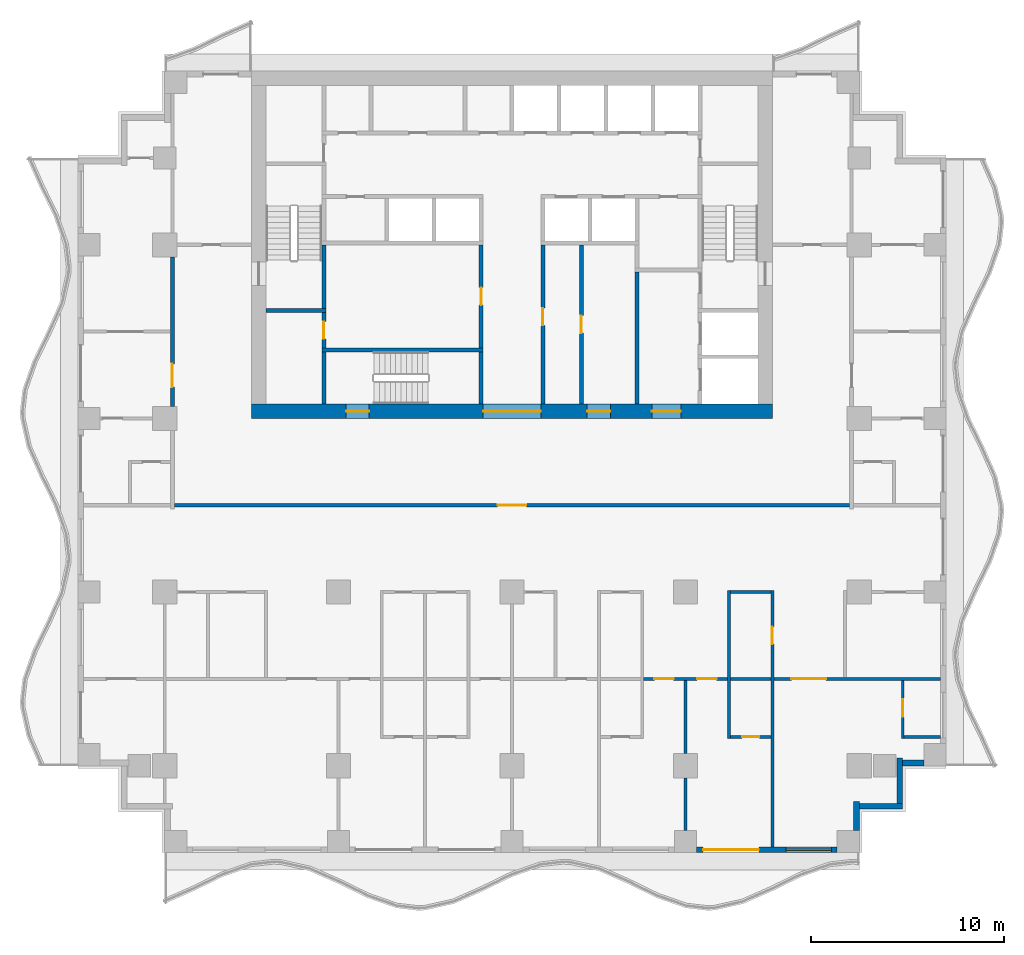
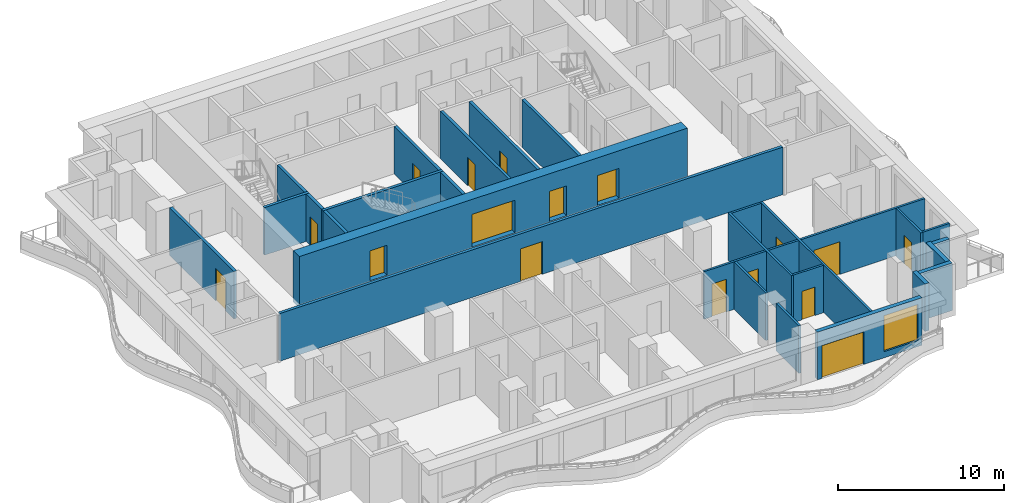
# One storey, part 3 of 10: 29 walls, 17 doors, 1 window, 18 openings.
"""IFC4 building model written with IfcOpenShell, lengths in metres."""

from ifc_helpers import new_model, si_unit, direction, frame, frame_2d, origin, place, context, subcontext, project, spatial, rectangle, extrude, material, layer, layer_set, type_object, element, fill, save


model = new_model("IFC4")

# Units and contexts
model_context = context("Model", 3, precision=1e-05, world=origin(), true_north=direction((0.0, 1.0)))
body_context = subcontext(model_context, "Body", "Model", "MODEL_VIEW")
ifc_project = project(units=[si_unit("LENGTHUNIT", "METRE"), si_unit("AREAUNIT", "SQUARE_METRE"), si_unit("VOLUMEUNIT", "CUBIC_METRE"), si_unit("PLANEANGLEUNIT", "RADIAN"), si_unit("MASSUNIT", "GRAM", prefix="KILO")], contexts=[model_context])

# Site, building, storey
site_placement = place(None, origin())
site = spatial("IfcSite", under=ifc_project, at=site_placement, CompositionType="ELEMENT")
building_placement = place(site_placement, origin())
building = spatial("IfcBuilding", under=site, at=building_placement, Name="Orbiselva Terraces", CompositionType="ELEMENT")
storey_placement = place(building_placement, frame((0.0, 0.0, 155.4)))
storey = spatial("IfcBuildingStorey", under=building, at=storey_placement, Name="L39", CompositionType="ELEMENT", Elevation=155.4)

# Wall, openings, doors
ifc_material_1 = material(Name="Concrete C80/95", Category="concrete")
ifc_layer_1 = layer(ifc_material_1, 0.75)
ifc_layer_set_1 = layer_set([ifc_layer_1], Name="Concrete C80/95")
wall_type_1 = type_object("IfcWallType", Name="CORE WALL 750", PredefinedType="SHEAR", material=ifc_layer_set_1)
wall_1_placement = place(storey_placement, frame((-13.5, 4.875, -0.3), z_axis=(0.0, 0.0, 1.0), x_axis=(1.0, 0.0, 0.0)))
wall_1 = element("IfcWall", 1, at=wall_1_placement, inside=storey, type_object=wall_type_1, Name="Core wall L39 south", PredefinedType="SHEAR", context=body_context, shape_type="SweptSolid", body=[
    extrude(rectangle(XDim=27.0, YDim=0.75, at=frame_2d((13.5, 0.0))), origin(), (0.0, 0.0, 1.0), 3.8),
])
opening_1_placement = place(wall_1_placement, frame((12.0, 0.0, 0.3)))
opening_1 = element("IfcOpeningElement", 2, at=opening_1_placement, cuts=wall_1, Name="Opening DL3000", PredefinedType="OPENING", context=body_context, shape_type="SweptSolid", body=[
    extrude(rectangle(XDim=3.0, YDim=2.4, at=frame_2d((1.5, 1.2))), frame((0.0, 0.385, 0.0), z_axis=(0.0, -1.0, 0.0), x_axis=(1.0, 0.0, 0.0)), (0.0, 0.0, 1.0), 0.77),
])
opening_2_placement = place(wall_1_placement, frame((4.9, 0.0, 0.3)))
opening_2 = element("IfcOpeningElement", 3, at=opening_2_placement, cuts=wall_1, Name="Opening DS1200", PredefinedType="OPENING", context=body_context, shape_type="SweptSolid", body=[
    extrude(rectangle(XDim=1.2, YDim=2.2, at=frame_2d((0.6, 1.1))), frame((0.0, 0.385, 0.0), z_axis=(0.0, -1.0, 0.0), x_axis=(1.0, 0.0, 0.0)), (0.0, 0.0, 1.0), 0.77),
])
opening_3_placement = place(wall_1_placement, frame((20.75, 0.0, 0.3)))
opening_3 = element("IfcOpeningElement", 4, at=opening_3_placement, cuts=wall_1, Name="Opening DF1500", PredefinedType="OPENING", context=body_context, shape_type="SweptSolid", body=[
    extrude(rectangle(XDim=1.5, YDim=2.2, at=frame_2d((0.75, 1.1))), frame((0.0, 0.385, 0.0), z_axis=(0.0, -1.0, 0.0), x_axis=(1.0, 0.0, 0.0)), (0.0, 0.0, 1.0), 0.77),
])
opening_4_placement = place(wall_1_placement, frame((17.4, 0.0, 0.3)))
opening_4 = element("IfcOpeningElement", 5, at=opening_4_placement, cuts=wall_1, Name="Opening DV1200", PredefinedType="OPENING", context=body_context, shape_type="SweptSolid", body=[
    extrude(rectangle(XDim=1.2, YDim=2.2, at=frame_2d((0.6, 1.1))), frame((0.0, 0.385, 0.0), z_axis=(0.0, -1.0, 0.0), x_axis=(1.0, 0.0, 0.0)), (0.0, 0.0, 1.0), 0.77),
])
ifc_material_2 = material(Name="Steel fire door", Category="steel")
door_type_1 = type_object("IfcDoorType", Name="FFL DOOR 1500", OperationType="DOUBLE_DOOR_SINGLE_SWING", PredefinedType="DOOR", material=ifc_material_2)
door_1_placement = place(opening_3_placement, frame((1.5, 0.0, 0.0), z_axis=(0.0, 0.0, 1.0), x_axis=(-1.0, 0.0, 0.0)))
door_1 = element("IfcDoor", 6, at=door_1_placement, inside=storey, type_object=door_type_1, Name="L39 FIRE-FIGHTING LOBBY door", OperationType="DOUBLE_DOOR_SINGLE_SWING", OverallHeight=2.2, OverallWidth=1.5, PredefinedType="DOOR", context=body_context, shape_type="SweptSolid", body=[
    extrude(rectangle(XDim=1.5, YDim=2.2, at=frame_2d((0.75, 1.1))), frame((0.0, 0.025, 0.0), z_axis=(0.0, -1.0, 0.0), x_axis=(1.0, 0.0, 0.0)), (0.0, 0.0, 1.0), 0.05),
])
fill(opening_3, door_1)
door_type_2 = type_object("IfcDoorType", Name="LOBBY DOOR 3000", OperationType="DOUBLE_DOOR_SINGLE_SWING", PredefinedType="DOOR", material=ifc_material_2)
door_2_placement = place(opening_1_placement, frame((3.0, 0.0, 0.0), z_axis=(0.0, 0.0, 1.0), x_axis=(-1.0, 0.0, 0.0)))
door_2 = element("IfcDoor", 7, at=door_2_placement, inside=storey, type_object=door_type_2, Name="L39 LIFT LOBBY door", OperationType="DOUBLE_DOOR_SINGLE_SWING", OverallHeight=2.4, OverallWidth=3.0, PredefinedType="DOOR", context=body_context, shape_type="SweptSolid", body=[
    extrude(rectangle(XDim=3.0, YDim=2.4, at=frame_2d((1.5, 1.2))), frame((0.0, 0.025, 0.0), z_axis=(0.0, -1.0, 0.0), x_axis=(1.0, 0.0, 0.0)), (0.0, 0.0, 1.0), 0.05),
])
fill(opening_1, door_2)
door_type_3 = type_object("IfcDoorType", Name="SERVICE DOOR 1200", OperationType="NOTDEFINED", PredefinedType="DOOR", material=ifc_material_2)
door_3_placement = place(opening_4_placement, frame((1.2, 0.0, 0.0), z_axis=(0.0, 0.0, 1.0), x_axis=(-1.0, 0.0, 0.0)))
door_3 = element("IfcDoor", 8, at=door_3_placement, inside=storey, type_object=door_type_3, Name="L39 SERVICE ROOM door", OperationType="SINGLE_SWING_RIGHT", OverallHeight=2.2, OverallWidth=1.2, PredefinedType="DOOR", context=body_context, shape_type="SweptSolid", body=[
    extrude(rectangle(XDim=1.2, YDim=2.2, at=frame_2d((0.6, 1.1))), frame((0.0, 0.025, 0.0), z_axis=(0.0, -1.0, 0.0), x_axis=(1.0, 0.0, 0.0)), (0.0, 0.0, 1.0), 0.05),
])
fill(opening_4, door_3)
door_type_4 = type_object("IfcDoorType", Name="STAIR DOOR 1200", OperationType="NOTDEFINED", PredefinedType="DOOR", material=ifc_material_2)
door_4_placement = place(opening_2_placement, frame((1.2, 0.0, 0.0), z_axis=(0.0, 0.0, 1.0), x_axis=(-1.0, 0.0, 0.0)))
door_4 = element("IfcDoor", 9, at=door_4_placement, inside=storey, type_object=door_type_4, Name="L39 EXIT STAIR S3 door", OperationType="SINGLE_SWING_LEFT", OverallHeight=2.2, OverallWidth=1.2, PredefinedType="DOOR", context=body_context, shape_type="SweptSolid", body=[
    extrude(rectangle(XDim=1.2, YDim=2.2, at=frame_2d((0.6, 1.1))), frame((0.0, 0.025, 0.0), z_axis=(0.0, -1.0, 0.0), x_axis=(1.0, 0.0, 0.0)), (0.0, 0.0, 1.0), 0.05),
])
fill(opening_2, door_4)

# Wall, opening, door
ifc_material_3 = material(Name="Masonry blockwork", Category="masonry")
ifc_layer_2 = layer(ifc_material_3, 0.2)
ifc_layer_set_2 = layer_set([ifc_layer_2], Name="Masonry blockwork")
wall_type_2 = type_object("IfcWallType", Name="CORE-WALL-PARTITION-200", PredefinedType="PARTITIONING", material=ifc_layer_set_2)
wall_2_placement = place(storey_placement, frame((-9.75, 8.15, 0.0), z_axis=(0.0, 0.0, 1.0), x_axis=(0.0, 1.0, 0.0)))
wall_2 = element("IfcWall", 10, at=wall_2_placement, inside=storey, type_object=wall_type_2, Name="L39 core wall 05", PredefinedType="PARTITIONING", context=body_context, shape_type="SweptSolid", body=[
    extrude(rectangle(XDim=1.85, YDim=0.2, at=frame_2d((0.925, 0.0))), origin(), (0.0, 0.0, 1.0), 3.5),
])
opening_5_placement = place(wall_2_placement, frame((0.475, 0.0, 0.0)))
opening_5 = element("IfcOpeningElement", 11, at=opening_5_placement, cuts=wall_2, Name="Opening DR900", PredefinedType="OPENING", context=body_context, shape_type="SweptSolid", body=[
    extrude(rectangle(XDim=0.9, YDim=2.1, at=frame_2d((0.45, 1.05))), frame((0.0, 0.11, 0.0), z_axis=(0.0, -1.0, 0.0), x_axis=(1.0, 0.0, 0.0)), (0.0, 0.0, 1.0), 0.22),
])
door_type_5 = type_object("IfcDoorType", Name="ROOM DOOR 900", OperationType="NOTDEFINED", PredefinedType="DOOR", material=ifc_material_2)
door_5_placement = place(opening_5_placement, origin())
door_5 = element("IfcDoor", 12, at=door_5_placement, inside=storey, type_object=door_type_5, Name="L39 ACCESSIBLE WC door", OperationType="SINGLE_SWING_RIGHT", OverallHeight=2.1, OverallWidth=0.9, PredefinedType="DOOR", context=body_context, shape_type="SweptSolid", body=[
    extrude(rectangle(XDim=0.9, YDim=2.1, at=frame_2d((0.45, 1.05))), frame((0.0, 0.025, 0.0), z_axis=(0.0, -1.0, 0.0), x_axis=(1.0, 0.0, 0.0)), (0.0, 0.0, 1.0), 0.05),
])
fill(opening_5, door_5)

wall_3_placement = place(storey_placement, frame((3.6, 13.5, 0.0), z_axis=(0.0, 0.0, 1.0), x_axis=(0.0, -1.0, 0.0)))
wall_3 = element("IfcWall", 13, at=wall_3_placement, inside=storey, type_object=wall_type_2, Name="L39 core wall 27", PredefinedType="PARTITIONING", context=body_context, shape_type="SweptSolid", body=[
    extrude(rectangle(XDim=8.25, YDim=0.2, at=frame_2d((4.125, 0.0))), origin(), (0.0, 0.0, 1.0), 3.5),
])
opening_6_placement = place(wall_3_placement, frame((3.675, 0.0, 0.0)))
opening_6 = element("IfcOpeningElement", 14, at=opening_6_placement, cuts=wall_3, Name="Opening DR900", PredefinedType="OPENING", context=body_context, shape_type="SweptSolid", body=[
    extrude(rectangle(XDim=0.9, YDim=2.1, at=frame_2d((0.45, 1.05))), frame((0.0, 0.11, 0.0), z_axis=(0.0, -1.0, 0.0), x_axis=(1.0, 0.0, 0.0)), (0.0, 0.0, 1.0), 0.22),
])
door_6_placement = place(opening_6_placement, origin())
door_6 = element("IfcDoor", 15, at=door_6_placement, inside=storey, type_object=door_type_5, Name="L39 SERVICE ROOM door", OperationType="SINGLE_SWING_RIGHT", OverallHeight=2.1, OverallWidth=0.9, PredefinedType="DOOR", context=body_context, shape_type="SweptSolid", body=[
    extrude(rectangle(XDim=0.9, YDim=2.1, at=frame_2d((0.45, 1.05))), frame((0.0, 0.025, 0.0), z_axis=(0.0, -1.0, 0.0), x_axis=(1.0, 0.0, 0.0)), (0.0, 0.0, 1.0), 0.05),
])
fill(opening_6, door_6)

# Walls
ifc_material_4 = material(Name="Concrete C60/75", Category="concrete")
ifc_layer_3 = layer(ifc_material_4, 0.2)
ifc_layer_set_3 = layer_set([ifc_layer_3], Name="Concrete C60/75")
wall_type_3 = type_object("IfcWallType", Name="CORE-WALL-SHEAR-200", PredefinedType="SHEAR", material=ifc_layer_set_3)
wall_4_placement = place(storey_placement, frame((-12.75, 10.1, 0.0), z_axis=(0.0, 0.0, 1.0), x_axis=(1.0, 0.0, 0.0)))
element("IfcWall", 16, at=wall_4_placement, inside=storey, type_object=wall_type_3, Name="L39 core wall 01", PredefinedType="SHEAR", context=body_context, shape_type="SweptSolid", body=[
    extrude(rectangle(XDim=3.1, YDim=0.2, at=frame_2d((1.55, 0.0))), origin(), (0.0, 0.0, 1.0), 3.5),
])
wall_5_placement = place(storey_placement, frame((-9.75, 5.25, 0.0), z_axis=(0.0, 0.0, 1.0), x_axis=(0.0, 1.0, 0.0)))
element("IfcWall", 17, at=wall_5_placement, inside=storey, type_object=wall_type_3, Name="L39 core wall 03", PredefinedType="SHEAR", context=body_context, shape_type="SweptSolid", body=[
    extrude(rectangle(XDim=2.7, YDim=0.2, at=frame_2d((1.35, 0.0))), origin(), (0.0, 0.0, 1.0), 3.5),
])
wall_6_placement = place(storey_placement, frame((-9.85, 8.05, 0.0), z_axis=(0.0, 0.0, 1.0), x_axis=(1.0, 0.0, 0.0)))
element("IfcWall", 18, at=wall_6_placement, inside=storey, type_object=wall_type_3, Name="L39 core wall 04", PredefinedType="SHEAR", context=body_context, shape_type="SweptSolid", body=[
    extrude(rectangle(XDim=8.35, YDim=0.2, at=frame_2d((4.175, 0.0))), origin(), (0.0, 0.0, 1.0), 3.5),
])
wall_7_placement = place(storey_placement, frame((-9.75, 10.2, 0.0), z_axis=(0.0, 0.0, 1.0), x_axis=(0.0, 1.0, 0.0)))
element("IfcWall", 19, at=wall_7_placement, inside=storey, type_object=wall_type_3, Name="L39 core wall 06", PredefinedType="SHEAR", context=body_context, shape_type="SweptSolid", body=[
    extrude(rectangle(XDim=3.3, YDim=0.2, at=frame_2d((1.65, 0.0))), origin(), (0.0, 0.0, 1.0), 3.5),
])
wall_8_placement = place(storey_placement, frame((-1.6, 5.25, 0.0), z_axis=(0.0, 0.0, 1.0), x_axis=(0.0, 1.0, 0.0)))
element("IfcWall", 20, at=wall_8_placement, inside=storey, type_object=wall_type_3, Name="L39 core wall 18", PredefinedType="SHEAR", context=body_context, shape_type="SweptSolid", body=[
    extrude(rectangle(XDim=2.7, YDim=0.2, at=frame_2d((1.35, 0.0))), origin(), (0.0, 0.0, 1.0), 3.5),
])

# Wall, opening, door
wall_9_placement = place(storey_placement, frame((-1.6, 8.15, 0.0), z_axis=(0.0, 0.0, 1.0), x_axis=(0.0, 1.0, 0.0)))
wall_9 = element("IfcWall", 21, at=wall_9_placement, inside=storey, type_object=wall_type_3, Name="L39 core wall 19", PredefinedType="SHEAR", context=body_context, shape_type="SweptSolid", body=[
    extrude(rectangle(XDim=5.35, YDim=0.2, at=frame_2d((2.675, 0.0))), origin(), (0.0, 0.0, 1.0), 3.5),
])
opening_7_placement = place(wall_9_placement, frame((2.225, 0.0, 0.0)))
opening_7 = element("IfcOpeningElement", 22, at=opening_7_placement, cuts=wall_9, Name="Opening DR900", PredefinedType="OPENING", context=body_context, shape_type="SweptSolid", body=[
    extrude(rectangle(XDim=0.9, YDim=2.1, at=frame_2d((0.45, 1.05))), frame((0.0, 0.11, 0.0), z_axis=(0.0, -1.0, 0.0), x_axis=(1.0, 0.0, 0.0)), (0.0, 0.0, 1.0), 0.22),
])
door_7_placement = place(opening_7_placement, origin())
door_7 = element("IfcDoor", 23, at=door_7_placement, inside=storey, type_object=door_type_5, Name="L39 LINEN STORE door", OperationType="SINGLE_SWING_RIGHT", OverallHeight=2.1, OverallWidth=0.9, PredefinedType="DOOR", context=body_context, shape_type="SweptSolid", body=[
    extrude(rectangle(XDim=0.9, YDim=2.1, at=frame_2d((0.45, 1.05))), frame((0.0, 0.025, 0.0), z_axis=(0.0, -1.0, 0.0), x_axis=(1.0, 0.0, 0.0)), (0.0, 0.0, 1.0), 0.05),
])
fill(opening_7, door_7)

wall_10_placement = place(storey_placement, frame((1.6, 13.5, 0.0), z_axis=(0.0, 0.0, 1.0), x_axis=(0.0, -1.0, 0.0)))
wall_10 = element("IfcWall", 24, at=wall_10_placement, inside=storey, type_object=wall_type_3, Name="L39 core wall 22", PredefinedType="SHEAR", context=body_context, shape_type="SweptSolid", body=[
    extrude(rectangle(XDim=8.25, YDim=0.2, at=frame_2d((4.125, 0.0))), origin(), (0.0, 0.0, 1.0), 3.5),
])
opening_8_placement = place(wall_10_placement, frame((3.275, 0.0, 0.0)))
opening_8 = element("IfcOpeningElement", 25, at=opening_8_placement, cuts=wall_10, Name="Opening DR900", PredefinedType="OPENING", context=body_context, shape_type="SweptSolid", body=[
    extrude(rectangle(XDim=0.9, YDim=2.1, at=frame_2d((0.45, 1.05))), frame((0.0, 0.11, 0.0), z_axis=(0.0, -1.0, 0.0), x_axis=(1.0, 0.0, 0.0)), (0.0, 0.0, 1.0), 0.22),
])
door_8_placement = place(opening_8_placement, origin())
door_8 = element("IfcDoor", 26, at=door_8_placement, inside=storey, type_object=door_type_5, Name="L39 COMMS ROOM door", OperationType="SINGLE_SWING_LEFT", OverallHeight=2.1, OverallWidth=0.9, PredefinedType="DOOR", context=body_context, shape_type="SweptSolid", body=[
    extrude(rectangle(XDim=0.9, YDim=2.1, at=frame_2d((0.45, 1.05))), frame((0.0, 0.025, 0.0), z_axis=(0.0, -1.0, 0.0), x_axis=(1.0, 0.0, 0.0)), (0.0, 0.0, 1.0), 0.05),
])
fill(opening_8, door_8)

# Wall
wall_11_placement = place(storey_placement, frame((6.475, 5.25, 0.0), z_axis=(0.0, 0.0, 1.0), x_axis=(0.0, 1.0, 0.0)))
element("IfcWall", 27, at=wall_11_placement, inside=storey, type_object=wall_type_3, Name="L39 core wall 30", PredefinedType="SHEAR", context=body_context, shape_type="SweptSolid", body=[
    extrude(rectangle(XDim=6.85, YDim=0.2, at=frame_2d((3.425, 0.0))), origin(), (0.0, 0.0, 1.0), 3.5),
])

# Wall, openings, door, window
ifc_material_5 = material(Name="Terracotta cladding on masonry backing", Category="masonry")
ifc_layer_4 = layer(ifc_material_5, 0.3)
ifc_layer_set_4 = layer_set([ifc_layer_4], Name="Terracotta cladding on masonry backing")
wall_type_4 = type_object("IfcWallType", Name="ENV-WALL-TERRACOTTA-300", PredefinedType="SOLIDWALL", material=ifc_layer_set_4)
wall_12_placement = place(storey_placement, frame((16.85, -17.85, 0.0), z_axis=(0.0, 0.0, 1.0), x_axis=(-1.0, 0.0, 0.0)))
wall_12 = element("IfcWall", 28, at=wall_12_placement, inside=storey, type_object=wall_type_4, Name="Facade wall L39 S", PredefinedType="SOLIDWALL", context=body_context, shape_type="SweptSolid", body=[
    extrude(rectangle(XDim=7.275, YDim=0.3, at=frame_2d((3.6375, 0.0))), origin(), (0.0, 0.0, 1.0), 3.5),
])
opening_9_placement = place(wall_12_placement, frame((4.05, 0.0, 0.0)))
opening_9 = element("IfcOpeningElement", 29, at=opening_9_placement, cuts=wall_12, Name="Opening Z3-C-E03", PredefinedType="OPENING", context=body_context, shape_type="SweptSolid", body=[
    extrude(rectangle(XDim=2.9, YDim=2.4, at=frame_2d((1.45, 1.2))), frame((0.0, 0.16, 0.0), z_axis=(0.0, -1.0, 0.0), x_axis=(1.0, 0.0, 0.0)), (0.0, 0.0, 1.0), 0.32),
])
opening_10_placement = place(wall_12_placement, frame((0.3, 0.0, 0.45)))
opening_10 = element("IfcOpeningElement", 30, at=opening_10_placement, cuts=wall_12, Name="Opening WN10", PredefinedType="OPENING", context=body_context, shape_type="SweptSolid", body=[
    extrude(rectangle(XDim=2.35, YDim=2.65, at=frame_2d((1.175, 1.325))), frame((0.0, 0.16, 0.0), z_axis=(0.0, -1.0, 0.0), x_axis=(1.0, 0.0, 0.0)), (0.0, 0.0, 1.0), 0.32),
])
ifc_material_6 = material(Name="Clear low-e glazing in aluminium frame", Category="aluminium")
door_type_6 = type_object("IfcDoorType", Name="BALCONY DOOR 2900 X 2400", OperationType="DOUBLE_DOOR_SLIDING", PredefinedType="DOOR", material=ifc_material_6)
door_9_placement = place(opening_9_placement, origin())
door_9 = element("IfcDoor", 31, at=door_9_placement, inside=storey, type_object=door_type_6, Name="Z3-C-E03", OperationType="SINGLE_SWING_LEFT", OverallHeight=2.4, OverallWidth=2.9, PredefinedType="DOOR", context=body_context, shape_type="SweptSolid", body=[
    extrude(rectangle(XDim=2.9, YDim=2.4, at=frame_2d((1.45, 1.2))), frame((0.0, 0.025, 0.0), z_axis=(0.0, -1.0, 0.0), x_axis=(1.0, 0.0, 0.0)), (0.0, 0.0, 1.0), 0.05),
])
fill(opening_9, door_9)
window_type = type_object("IfcWindowType", Name="WINDOW 2350 X 2650 S450", PartitioningType="TRIPLE_PANEL_VERTICAL", PredefinedType="WINDOW", material=ifc_material_6)
window_placement = place(opening_10_placement, origin())
window = element("IfcWindow", 32, at=window_placement, inside=storey, type_object=window_type, Name="Window L39 S", OverallHeight=2.65, OverallWidth=2.35, PartitioningType="SINGLE_PANEL", PredefinedType="WINDOW", context=body_context, shape_type="SweptSolid", body=[
    extrude(rectangle(XDim=2.35, YDim=2.65, at=frame_2d((1.175, 1.325))), frame((0.0, 0.03, 0.0), z_axis=(0.0, -1.0, 0.0), x_axis=(1.0, 0.0, 0.0)), (0.0, 0.0, 1.0), 0.06),
])
fill(opening_10, window)

# Walls
wall_13_placement = place(storey_placement, frame((17.85, -15.35, 0.0), z_axis=(0.0, 0.0, 1.0), x_axis=(0.0, -1.0, 0.0)))
element("IfcWall", 33, at=wall_13_placement, inside=storey, type_object=wall_type_4, Name="Facade wall L39 STEP", PredefinedType="SOLIDWALL", context=body_context, shape_type="SweptSolid", body=[
    extrude(rectangle(XDim=1.5, YDim=0.3, at=frame_2d((0.75, 0.0))), origin(), (0.0, 0.0, 1.0), 3.5),
])
wall_14_placement = place(storey_placement, frame((20.25, -15.6, 0.0), z_axis=(0.0, 0.0, 1.0), x_axis=(-1.0, 0.0, 0.0)))
element("IfcWall", 34, at=wall_14_placement, inside=storey, type_object=wall_type_4, Name="Facade wall L39 STEP", PredefinedType="SOLIDWALL", context=body_context, shape_type="SweptSolid", body=[
    extrude(rectangle(XDim=2.25, YDim=0.3, at=frame_2d((1.125, 0.0))), origin(), (0.0, 0.0, 1.0), 3.5),
])
wall_15_placement = place(storey_placement, frame((20.1, -13.1, 0.0), z_axis=(0.0, 0.0, 1.0), x_axis=(0.0, -1.0, 0.0)))
element("IfcWall", 35, at=wall_15_placement, inside=storey, type_object=wall_type_4, Name="Facade wall L39 STEP", PredefinedType="SOLIDWALL", context=body_context, shape_type="SweptSolid", body=[
    extrude(rectangle(XDim=2.35, YDim=0.3, at=frame_2d((1.175, 0.0))), origin(), (0.0, 0.0, 1.0), 3.5),
])
wall_16_placement = place(storey_placement, frame((21.35, -13.35, 0.0), z_axis=(0.0, 0.0, 1.0), x_axis=(-1.0, 0.0, 0.0)))
element("IfcWall", 36, at=wall_16_placement, inside=storey, type_object=wall_type_4, Name="Facade wall L39 STEP", PredefinedType="SOLIDWALL", context=body_context, shape_type="SweptSolid", body=[
    extrude(rectangle(XDim=1.1, YDim=0.3, at=frame_2d((0.55, 0.0))), origin(), (0.0, 0.0, 1.0), 3.5),
])

# Wall, opening, door
ifc_material_7 = material(Name="Plasterboard on steel stud partition", Category="steel")
ifc_layer_5 = layer(ifc_material_7, 0.2)
ifc_layer_set_5 = layer_set([ifc_layer_5], Name="Plasterboard on steel stud partition")
wall_type_5 = type_object("IfcWallType", Name="UNIT-ENTRANCE-WALL-200", PredefinedType="PARTITIONING", material=ifc_layer_set_5)
wall_17_placement = place(storey_placement, frame((17.5, 0.0, 0.0), z_axis=(0.0, 0.0, 1.0), x_axis=(-1.0, 0.0, 0.0)))
wall_17 = element("IfcWall", 37, at=wall_17_placement, inside=storey, type_object=wall_type_5, Name="PARTITION L39-022", PredefinedType="PARTITIONING", context=body_context, shape_type="SweptSolid", body=[
    extrude(rectangle(XDim=35.0, YDim=0.2, at=frame_2d((17.5, 0.0))), origin(), (0.0, 0.0, 1.0), 3.5),
])
opening_11_placement = place(wall_17_placement, frame((16.75, 0.0, 0.0)))
opening_11 = element("IfcOpeningElement", 38, at=opening_11_placement, cuts=wall_17, Name="Opening Z3-C-13", PredefinedType="OPENING", context=body_context, shape_type="SweptSolid", body=[
    extrude(rectangle(XDim=1.5, YDim=2.4, at=frame_2d((0.75, 1.2))), frame((0.0, 0.11, 0.0), z_axis=(0.0, -1.0, 0.0), x_axis=(1.0, 0.0, 0.0)), (0.0, 0.0, 1.0), 0.22),
])
ifc_material_8 = material(Name="Painted timber door leaf", Category="wood")
door_type_7 = type_object("IfcDoorType", Name="ENTRANCE DOUBLE DOOR 1500", OperationType="NOTDEFINED", PredefinedType="DOOR", material=ifc_material_8)
door_10_placement = place(opening_11_placement, origin())
door_10 = element("IfcDoor", 39, at=door_10_placement, inside=storey, type_object=door_type_7, Name="Z3-C-13", OperationType="DOUBLE_DOOR_SINGLE_SWING", OverallHeight=2.4, OverallWidth=1.5, PredefinedType="DOOR", context=body_context, shape_type="SweptSolid", body=[
    extrude(rectangle(XDim=1.5, YDim=2.4, at=frame_2d((0.75, 1.2))), frame((0.0, 0.025, 0.0), z_axis=(0.0, -1.0, 0.0), x_axis=(1.0, 0.0, 0.0)), (0.0, 0.0, 1.0), 0.05),
])
fill(opening_11, door_10)

wall_18_placement = place(storey_placement, frame((-17.6, 5.125, 0.0), z_axis=(0.0, 0.0, 1.0), x_axis=(0.0, 1.0, 0.0)))
wall_18 = element("IfcWall", 40, at=wall_18_placement, inside=storey, type_object=wall_type_5, Name="PARTITION L39-039", PredefinedType="PARTITIONING", context=body_context, shape_type="SweptSolid", body=[
    extrude(rectangle(XDim=7.75, YDim=0.2, at=frame_2d((3.875, 0.0))), origin(), (0.0, 0.0, 1.0), 3.5),
])
opening_12_placement = place(wall_18_placement, frame((1.0, 0.0, 0.0)))
opening_12 = element("IfcOpeningElement", 41, at=opening_12_placement, cuts=wall_18, Name="Opening Z3-C-05", PredefinedType="OPENING", context=body_context, shape_type="SweptSolid", body=[
    extrude(rectangle(XDim=1.2, YDim=2.4, at=frame_2d((0.6, 1.2))), frame((0.0, 0.11, 0.0), z_axis=(0.0, -1.0, 0.0), x_axis=(1.0, 0.0, 0.0)), (0.0, 0.0, 1.0), 0.22),
])
door_type_8 = type_object("IfcDoorType", Name="ENTRANCE DOOR 1200", OperationType="NOTDEFINED", PredefinedType="DOOR", material=ifc_material_8)
door_11_placement = place(opening_12_placement, origin())
door_11 = element("IfcDoor", 42, at=door_11_placement, inside=storey, type_object=door_type_8, Name="Z3-C-05", OperationType="SINGLE_SWING_LEFT", OverallHeight=2.4, OverallWidth=1.2, PredefinedType="DOOR", context=body_context, shape_type="SweptSolid", body=[
    extrude(rectangle(XDim=1.2, YDim=2.4, at=frame_2d((0.6, 1.2))), frame((0.0, 0.025, 0.0), z_axis=(0.0, -1.0, 0.0), x_axis=(1.0, 0.0, 0.0)), (0.0, 0.0, 1.0), 0.05),
])
fill(opening_12, door_11)

ifc_layer_6 = layer(ifc_material_7, 0.15)
ifc_layer_set_6 = layer_set([ifc_layer_6], Name="Plasterboard on steel stud partition")
wall_type_6 = type_object("IfcWallType", Name="UNIT-PARTITION-150", PredefinedType="PARTITIONING", material=ifc_layer_set_6)
wall_19_placement = place(storey_placement, frame((11.325, -12.0, 0.0), z_axis=(0.0, 0.0, 1.0), x_axis=(1.0, 0.0, 0.0)))
wall_19 = element("IfcWall", 43, at=wall_19_placement, inside=storey, type_object=wall_type_6, Name="PARTITION L39-004", PredefinedType="PARTITIONING", context=body_context, shape_type="SweptSolid", body=[
    extrude(rectangle(XDim=2.1, YDim=0.15, at=frame_2d((1.05, 0.0))), origin(), (0.0, 0.0, 1.0), 3.5),
])
opening_13_placement = place(wall_19_placement, frame((0.6, 0.0, 0.0)))
opening_13 = element("IfcOpeningElement", 44, at=opening_13_placement, cuts=wall_19, Name="Opening Z3-C-25", PredefinedType="OPENING", context=body_context, shape_type="SweptSolid", body=[
    extrude(rectangle(XDim=0.9, YDim=2.1, at=frame_2d((0.45, 1.05))), frame((0.0, 0.085, 0.0), z_axis=(0.0, -1.0, 0.0), x_axis=(1.0, 0.0, 0.0)), (0.0, 0.0, 1.0), 0.17),
])
door_type_9 = type_object("IfcDoorType", Name="BATH DOOR 900", OperationType="NOTDEFINED", PredefinedType="DOOR", material=ifc_material_8)
door_12_placement = place(opening_13_placement, origin())
door_12 = element("IfcDoor", 45, at=door_12_placement, inside=storey, type_object=door_type_9, Name="Z3-C-25", OperationType="SINGLE_SWING_LEFT", OverallHeight=2.1, OverallWidth=0.9, PredefinedType="DOOR", context=body_context, shape_type="SweptSolid", body=[
    extrude(rectangle(XDim=0.9, YDim=2.1, at=frame_2d((0.45, 1.05))), frame((0.0, 0.025, 0.0), z_axis=(0.0, -1.0, 0.0), x_axis=(1.0, 0.0, 0.0)), (0.0, 0.0, 1.0), 0.05),
])
fill(opening_13, door_12)

# Wall
wall_20_placement = place(storey_placement, frame((20.325, -12.0, 0.0), z_axis=(0.0, 0.0, 1.0), x_axis=(1.0, 0.0, 0.0)))
element("IfcWall", 46, at=wall_20_placement, inside=storey, type_object=wall_type_6, Name="PARTITION L39-005", PredefinedType="PARTITIONING", context=body_context, shape_type="SweptSolid", body=[
    extrude(rectangle(XDim=1.875, YDim=0.15, at=frame_2d((0.9375, 0.0))), origin(), (0.0, 0.0, 1.0), 3.5),
])

# Wall, openings, doors
wall_21_placement = place(storey_placement, frame((11.175, -9.0, 0.0), z_axis=(0.0, 0.0, 1.0), x_axis=(-1.0, 0.0, 0.0)))
wall_21 = element("IfcWall", 47, at=wall_21_placement, inside=storey, type_object=wall_type_6, Name="PARTITION L39-013", PredefinedType="PARTITIONING", context=body_context, shape_type="SweptSolid", body=[
    extrude(rectangle(XDim=4.35, YDim=0.15, at=frame_2d((2.175, 0.0))), origin(), (0.0, 0.0, 1.0), 3.5),
])
opening_14_placement = place(wall_21_placement, frame((0.575, 0.0, 0.0)))
opening_14 = element("IfcOpeningElement", 48, at=opening_14_placement, cuts=wall_21, Name="Opening Z3-C-24", PredefinedType="OPENING", context=body_context, shape_type="SweptSolid", body=[
    extrude(rectangle(XDim=1.0, YDim=2.4, at=frame_2d((0.5, 1.2))), frame((0.0, 0.085, 0.0), z_axis=(0.0, -1.0, 0.0), x_axis=(1.0, 0.0, 0.0)), (0.0, 0.0, 1.0), 0.17),
])
opening_15_placement = place(wall_21_placement, frame((2.8, 0.0, 0.0)))
opening_15 = element("IfcOpeningElement", 49, at=opening_15_placement, cuts=wall_21, Name="Opening Z3-C-26", PredefinedType="OPENING", context=body_context, shape_type="SweptSolid", body=[
    extrude(rectangle(XDim=1.0, YDim=2.4, at=frame_2d((0.5, 1.2))), frame((0.0, 0.085, 0.0), z_axis=(0.0, -1.0, 0.0), x_axis=(1.0, 0.0, 0.0)), (0.0, 0.0, 1.0), 0.17),
])
door_type_10 = type_object("IfcDoorType", Name="ROOM DOOR 1000", OperationType="NOTDEFINED", PredefinedType="DOOR", material=ifc_material_8)
door_13_placement = place(opening_14_placement, origin())
door_13 = element("IfcDoor", 50, at=door_13_placement, inside=storey, type_object=door_type_10, Name="Z3-C-24", OperationType="SINGLE_SWING_LEFT", OverallHeight=2.4, OverallWidth=1.0, PredefinedType="DOOR", context=body_context, shape_type="SweptSolid", body=[
    extrude(rectangle(XDim=1.0, YDim=2.4, at=frame_2d((0.5, 1.2))), frame((0.0, 0.025, 0.0), z_axis=(0.0, -1.0, 0.0), x_axis=(1.0, 0.0, 0.0)), (0.0, 0.0, 1.0), 0.05),
])
fill(opening_14, door_13)
door_14_placement = place(opening_15_placement, origin())
door_14 = element("IfcDoor", 51, at=door_14_placement, inside=storey, type_object=door_type_10, Name="Z3-C-26", OperationType="SINGLE_SWING_RIGHT", OverallHeight=2.4, OverallWidth=1.0, PredefinedType="DOOR", context=body_context, shape_type="SweptSolid", body=[
    extrude(rectangle(XDim=1.0, YDim=2.4, at=frame_2d((0.5, 1.2))), frame((0.0, 0.025, 0.0), z_axis=(0.0, -1.0, 0.0), x_axis=(1.0, 0.0, 0.0)), (0.0, 0.0, 1.0), 0.05),
])
fill(opening_15, door_14)

# Wall
wall_22_placement = place(storey_placement, frame((11.325, -9.0, 0.0), z_axis=(0.0, 0.0, 1.0), x_axis=(1.0, 0.0, 0.0)))
element("IfcWall", 52, at=wall_22_placement, inside=storey, type_object=wall_type_6, Name="PARTITION L39-014", PredefinedType="PARTITIONING", context=body_context, shape_type="SweptSolid", body=[
    extrude(rectangle(XDim=2.1, YDim=0.15, at=frame_2d((1.05, 0.0))), origin(), (0.0, 0.0, 1.0), 3.5),
])

# Wall, opening, door
wall_23_placement = place(storey_placement, frame((22.2, -9.0, 0.0), z_axis=(0.0, 0.0, 1.0), x_axis=(-1.0, 0.0, 0.0)))
wall_23 = element("IfcWall", 53, at=wall_23_placement, inside=storey, type_object=wall_type_6, Name="PARTITION L39-015", PredefinedType="PARTITIONING", context=body_context, shape_type="SweptSolid", body=[
    extrude(rectangle(XDim=8.625, YDim=0.15, at=frame_2d((4.3125, 0.0))), origin(), (0.0, 0.0, 1.0), 3.5),
])
opening_16_placement = place(wall_23_placement, frame((5.925, 0.0, 0.0)))
opening_16 = element("IfcOpeningElement", 54, at=opening_16_placement, cuts=wall_23, Name="Opening Z3-C-22", PredefinedType="OPENING", context=body_context, shape_type="SweptSolid", body=[
    extrude(rectangle(XDim=1.8, YDim=2.4, at=frame_2d((0.9, 1.2))), frame((0.0, 0.085, 0.0), z_axis=(0.0, -1.0, 0.0), x_axis=(1.0, 0.0, 0.0)), (0.0, 0.0, 1.0), 0.17),
])
door_type_11 = type_object("IfcDoorType", Name="DOUBLE DOOR 1800", OperationType="NOTDEFINED", PredefinedType="DOOR", material=ifc_material_8)
door_15_placement = place(opening_16_placement, origin())
door_15 = element("IfcDoor", 55, at=door_15_placement, inside=storey, type_object=door_type_11, Name="Z3-C-22", OperationType="DOUBLE_DOOR_SINGLE_SWING", OverallHeight=2.4, OverallWidth=1.8, PredefinedType="DOOR", context=body_context, shape_type="SweptSolid", body=[
    extrude(rectangle(XDim=1.8, YDim=2.4, at=frame_2d((0.9, 1.2))), frame((0.0, 0.025, 0.0), z_axis=(0.0, -1.0, 0.0), x_axis=(1.0, 0.0, 0.0)), (0.0, 0.0, 1.0), 0.05),
])
fill(opening_16, door_15)

# Walls
wall_24_placement = place(storey_placement, frame((11.325, -4.5, 0.0), z_axis=(0.0, 0.0, 1.0), x_axis=(1.0, 0.0, 0.0)))
element("IfcWall", 56, at=wall_24_placement, inside=storey, type_object=wall_type_6, Name="PARTITION L39-020", PredefinedType="PARTITIONING", context=body_context, shape_type="SweptSolid", body=[
    extrude(rectangle(XDim=2.1, YDim=0.15, at=frame_2d((1.05, 0.0))), origin(), (0.0, 0.0, 1.0), 3.5),
])
wall_25_placement = place(storey_placement, frame((9.0, -16.85, 0.0), z_axis=(0.0, 0.0, 1.0), x_axis=(0.0, 1.0, 0.0)))
element("IfcWall", 57, at=wall_25_placement, inside=storey, type_object=wall_type_6, Name="PARTITION L39-054", PredefinedType="PARTITIONING", context=body_context, shape_type="SweptSolid", body=[
    extrude(rectangle(XDim=2.725, YDim=0.15, at=frame_2d((1.3625, 0.0))), origin(), (0.0, 0.0, 1.0), 3.5),
])
wall_26_placement = place(storey_placement, frame((9.0, -12.875, 0.0), z_axis=(0.0, 0.0, 1.0), x_axis=(0.0, 1.0, 0.0)))
element("IfcWall", 58, at=wall_26_placement, inside=storey, type_object=wall_type_6, Name="PARTITION L39-055", PredefinedType="PARTITIONING", context=body_context, shape_type="SweptSolid", body=[
    extrude(rectangle(XDim=3.8, YDim=0.15, at=frame_2d((1.9, 0.0))), origin(), (0.0, 0.0, 1.0), 3.5),
])
wall_27_placement = place(storey_placement, frame((11.25, -12.075, 0.0), z_axis=(0.0, 0.0, 1.0), x_axis=(0.0, 1.0, 0.0)))
element("IfcWall", 59, at=wall_27_placement, inside=storey, type_object=wall_type_6, Name="PARTITION L39-056", PredefinedType="PARTITIONING", context=body_context, shape_type="SweptSolid", body=[
    extrude(rectangle(XDim=7.65, YDim=0.15, at=frame_2d((3.825, 0.0))), origin(), (0.0, 0.0, 1.0), 3.5),
])

# Wall, opening, door
wall_28_placement = place(storey_placement, frame((13.5, -17.7, 0.0), z_axis=(0.0, 0.0, 1.0), x_axis=(0.0, 1.0, 0.0)))
wall_28 = element("IfcWall", 60, at=wall_28_placement, inside=storey, type_object=wall_type_6, Name="PARTITION L39-057", PredefinedType="PARTITIONING", context=body_context, shape_type="SweptSolid", body=[
    extrude(rectangle(XDim=13.275, YDim=0.15, at=frame_2d((6.6375, 0.0))), origin(), (0.0, 0.0, 1.0), 3.5),
])
opening_17_placement = place(wall_28_placement, frame((10.5, 0.0, 0.0)))
opening_17 = element("IfcOpeningElement", 61, at=opening_17_placement, cuts=wall_28, Name="Opening Z3-C-15", PredefinedType="OPENING", context=body_context, shape_type="SweptSolid", body=[
    extrude(rectangle(XDim=0.9, YDim=2.1, at=frame_2d((0.45, 1.05))), frame((0.0, 0.085, 0.0), z_axis=(0.0, -1.0, 0.0), x_axis=(1.0, 0.0, 0.0)), (0.0, 0.0, 1.0), 0.17),
])
door_16_placement = place(opening_17_placement, origin())
door_16 = element("IfcDoor", 62, at=door_16_placement, inside=storey, type_object=door_type_9, Name="Z3-C-15", OperationType="SINGLE_SWING_RIGHT", OverallHeight=2.1, OverallWidth=0.9, PredefinedType="DOOR", context=body_context, shape_type="SweptSolid", body=[
    extrude(rectangle(XDim=0.9, YDim=2.1, at=frame_2d((0.45, 1.05))), frame((0.0, 0.025, 0.0), z_axis=(0.0, -1.0, 0.0), x_axis=(1.0, 0.0, 0.0)), (0.0, 0.0, 1.0), 0.05),
])
fill(opening_17, door_16)

wall_29_placement = place(storey_placement, frame((20.25, -9.075, 0.0), z_axis=(0.0, 0.0, 1.0), x_axis=(0.0, -1.0, 0.0)))
wall_29 = element("IfcWall", 63, at=wall_29_placement, inside=storey, type_object=wall_type_6, Name="PARTITION L39-064", PredefinedType="PARTITIONING", context=body_context, shape_type="SweptSolid", body=[
    extrude(rectangle(XDim=3.0, YDim=0.15, at=frame_2d((1.5, 0.0))), origin(), (0.0, 0.0, 1.0), 3.5),
])
opening_18_placement = place(wall_29_placement, frame((0.975, 0.0, 0.0)))
opening_18 = element("IfcOpeningElement", 64, at=opening_18_placement, cuts=wall_29, Name="Opening Z3-C-23", PredefinedType="OPENING", context=body_context, shape_type="SweptSolid", body=[
    extrude(rectangle(XDim=0.9, YDim=2.1, at=frame_2d((0.45, 1.05))), frame((0.0, 0.085, 0.0), z_axis=(0.0, -1.0, 0.0), x_axis=(1.0, 0.0, 0.0)), (0.0, 0.0, 1.0), 0.17),
])
door_17_placement = place(opening_18_placement, origin())
door_17 = element("IfcDoor", 65, at=door_17_placement, inside=storey, type_object=door_type_9, Name="Z3-C-23", OperationType="SINGLE_SWING_LEFT", OverallHeight=2.1, OverallWidth=0.9, PredefinedType="DOOR", context=body_context, shape_type="SweptSolid", body=[
    extrude(rectangle(XDim=0.9, YDim=2.1, at=frame_2d((0.45, 1.05))), frame((0.0, 0.025, 0.0), z_axis=(0.0, -1.0, 0.0), x_axis=(1.0, 0.0, 0.0)), (0.0, 0.0, 1.0), 0.05),
])
fill(opening_18, door_17)

save(model, "model.ifc")
